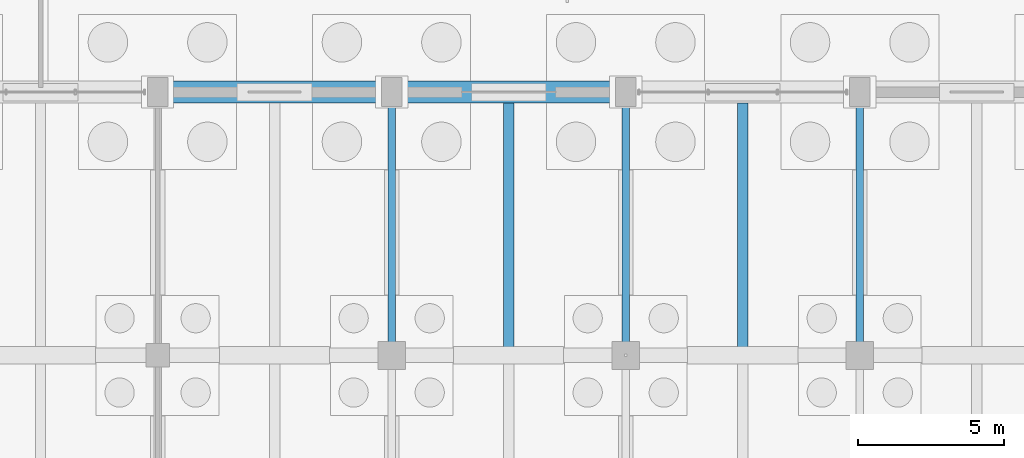
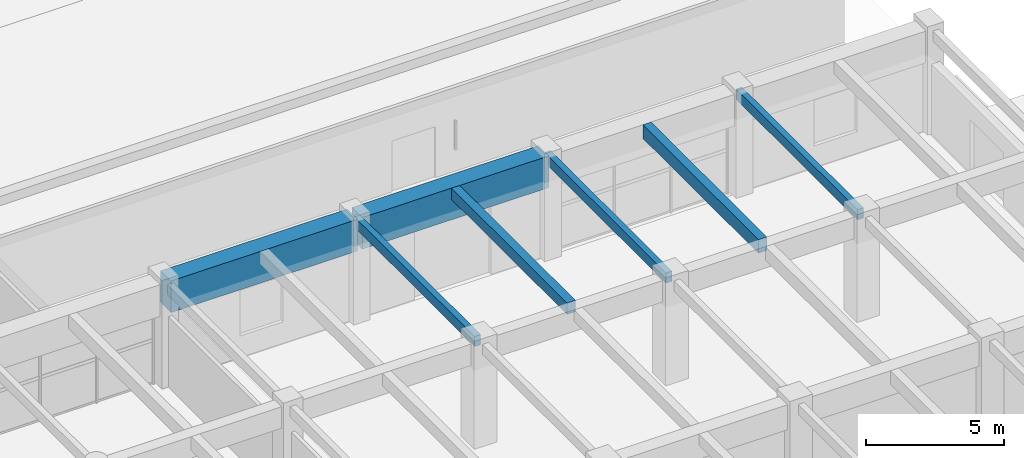
# One storey, part 82 of 147: 7 beams.
"""IFC4 building model written with IfcOpenShell, lengths in metres."""

from ifc_helpers import new_model, si_unit, direction, frame, origin, origin_2d, place, context, subcontext, project, spatial, rectangle, extrude, material, material_profile, profile_set, type_object, element, save


model = new_model("IFC4")

# Units and contexts
model_context = context("Model", 3, precision=1e-05, world=origin(), true_north=direction((0.0, 1.0)))
body_context = subcontext(model_context, "Body", "Model", "MODEL_VIEW")
ifc_project = project(units=[si_unit("LENGTHUNIT", "METRE"), si_unit("AREAUNIT", "SQUARE_METRE"), si_unit("VOLUMEUNIT", "CUBIC_METRE"), si_unit("PLANEANGLEUNIT", "RADIAN"), si_unit("MASSUNIT", "GRAM", prefix="KILO")], contexts=[model_context])

# Site, building, storey
site_placement = place(None, origin())
site = spatial("IfcSite", under=ifc_project, at=site_placement, CompositionType="ELEMENT")
building_placement = place(site_placement, origin())
building = spatial("IfcBuilding", under=site, at=building_placement, Name="Varnabhumi Central Station", CompositionType="ELEMENT")
storey_placement = place(building_placement, origin())
storey = spatial("IfcBuildingStorey", under=building, at=storey_placement, Name="L00", CompositionType="ELEMENT", Elevation=0.0)

# Beams
ifc_material_1 = material(Name="Concrete M50", Category="concrete")
ifc_material_profile_1 = material_profile(ifc_material_1, rectangle(XDim=0.75, YDim=1.39990234375, at=origin_2d()), Name="Concrete M50", Category="concrete")
ifc_profile_set_1 = profile_set([ifc_material_profile_1], Name="Concrete M50")
beam_type_1 = type_object("IfcBeamType", Name="BM-RC-1400x750", PredefinedType="BEAM", material=ifc_profile_set_1)
for number, where, z_axis, x_axis, name in (
    (1, (152.10009765625, 36.0, 3.85009765625), (1.0, 0.0, 0.0), (0.0, 1.0, 0.0), "Beam L00-E:20-21"),
    (2, (160.10009765625, 36.0, 3.85009765625), (1.0, 0.0, 0.0), (0.0, 1.0, 0.0), "Beam L00-E:21-22"),
):
    element("IfcBeam", number, at=place(storey_placement, frame(where, z_axis=z_axis, x_axis=x_axis)), inside=storey, type_object=beam_type_1, Name=name, PredefinedType="BEAM", context=body_context, shape_type="SweptSolid", body=[
        extrude(rectangle(XDim=0.75, YDim=1.39990234375, at=origin_2d()), origin(), (0.0, 0.0, 1.0), 7.7998046875),
    ])
ifc_material_2 = material(Name="Concrete M35", Category="concrete")
ifc_material_profile_2 = material_profile(ifc_material_2, rectangle(XDim=0.25, YDim=0.449951171875, at=origin_2d()), Name="Concrete M35", Category="concrete")
ifc_profile_set_2 = profile_set([ifc_material_profile_2], Name="Concrete M35")
beam_type_2 = type_object("IfcBeamType", Name="BM-RC-250x450", PredefinedType="LINTEL", material=ifc_profile_set_2)
for number, where, z_axis, x_axis, name in (
    (3, (160.0, 27.10009765625, 4.324951171875), (0.0, 1.0, 0.0), (-1.0, 0.0, 0.0), "Beam L00-21:D-E"),
    (4, (168.0, 27.10009765625, 4.324951171875), (0.0, 1.0, 0.0), (-1.0, 0.0, 0.0), "Beam L00-22:D-E"),
    (5, (176.0, 27.10009765625, 4.324951171875), (0.0, 1.0, 0.0), (-1.0, 0.0, 0.0), "Beam L00-23:D-E"),
):
    element("IfcBeam", number, at=place(storey_placement, frame(where, z_axis=z_axis, x_axis=x_axis)), inside=storey, type_object=beam_type_2, Name=name, PredefinedType="LINTEL", context=body_context, shape_type="SweptSolid", body=[
        extrude(rectangle(XDim=0.25, YDim=0.449951171875, at=origin_2d()), origin(), (0.0, 0.0, 1.0), 8.7998046875),
    ])
ifc_material_3 = material(Name="Concrete M40", Category="concrete")
ifc_material_profile_3 = material_profile(ifc_material_3, rectangle(XDim=0.35009765625, YDim=0.5, at=origin_2d()), Name="Concrete M40", Category="concrete")
ifc_profile_set_3 = profile_set([ifc_material_profile_3], Name="Concrete M40")
beam_type_3 = type_object("IfcBeamType", Name="BM-RC-350x500", PredefinedType="JOIST", material=ifc_profile_set_3)
beam_1_placement = place(storey_placement, frame((164.0, 27.25, 4.300048828125), z_axis=(0.0, 1.0, 0.0), x_axis=(-1.0, 0.0, 0.0)))
element("IfcBeam", 6, at=beam_1_placement, inside=storey, type_object=beam_type_3, Name="Secondary Joist L00-21/22:D-E", PredefinedType="JOIST", context=body_context, shape_type="SweptSolid", body=[
    extrude(rectangle(XDim=0.35009765625, YDim=0.5, at=origin_2d()), origin(), (0.0, 0.0, 1.0), 8.375),
])
ifc_material_profile_4 = material_profile(ifc_material_3, rectangle(XDim=0.35009765625, YDim=0.60009765625, at=origin_2d()), Name="Concrete M40", Category="concrete")
ifc_profile_set_4 = profile_set([ifc_material_profile_4], Name="Concrete M40")
beam_type_4 = type_object("IfcBeamType", Name="BM-RC-600x350", PredefinedType="JOIST", material=ifc_profile_set_4)
beam_2_placement = place(storey_placement, frame((172.0, 27.25, 4.25), z_axis=(0.0, 1.0, 0.0), x_axis=(-1.0, 0.0, 0.0)))
element("IfcBeam", 7, at=beam_2_placement, inside=storey, type_object=beam_type_4, Name="Secondary Joist L00-22/23:D-E", PredefinedType="JOIST", context=body_context, shape_type="SweptSolid", body=[
    extrude(rectangle(XDim=0.35009765625, YDim=0.60009765625, at=origin_2d()), origin(), (0.0, 0.0, 1.0), 8.375),
])

save(model, "model.ifc")
